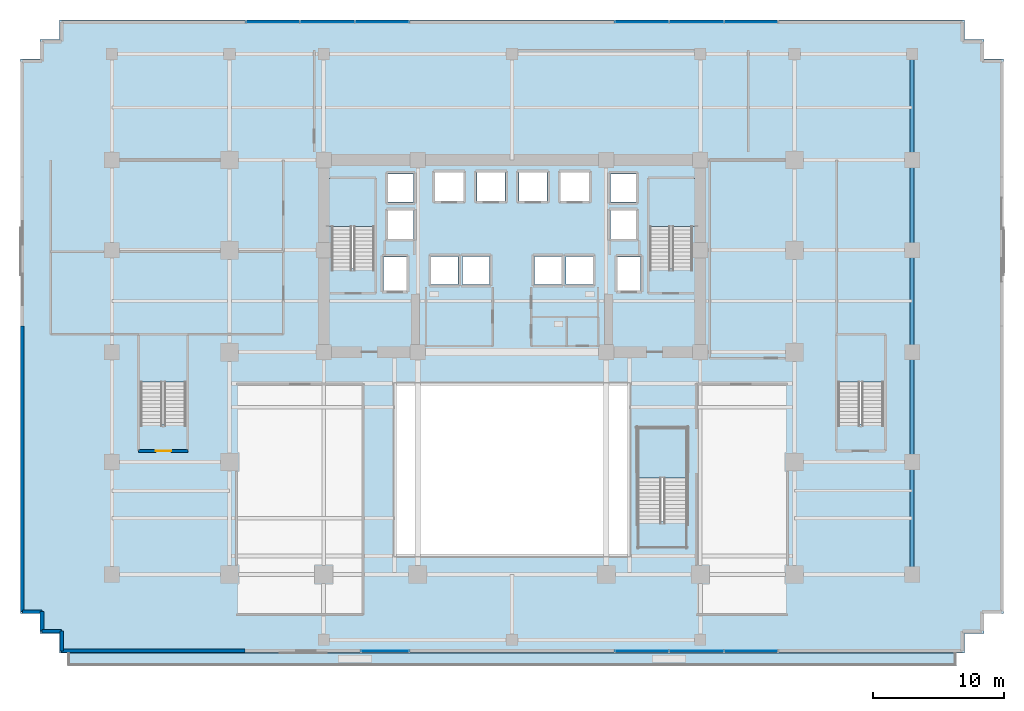
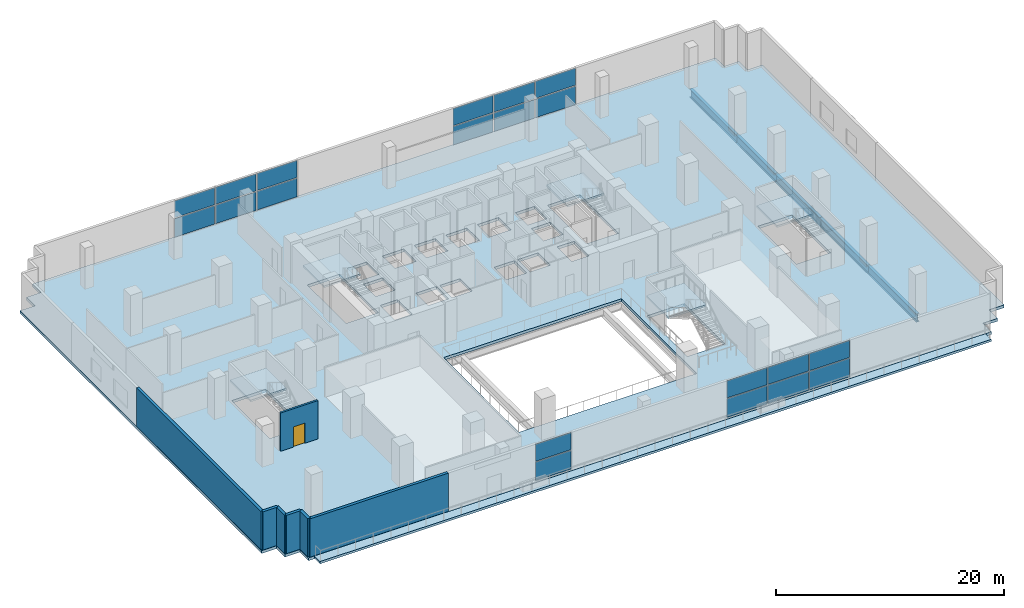
# One storey, part 11 of 22: 20 plates, 7 slabs, 7 walls, 5 beams, 1 door, 1 opening, 9 elements without a shape of their own.
"""IFC4 building model written with IfcOpenShell, lengths in metres."""

from ifc_helpers import new_model, si_unit, direction, frame, frame_2d, origin, origin_2d, place, context, subcontext, project, spatial, polyline, rectangle, i_section, outline, extrude, source, transform, mapped, material, layer, layer_set, material_profile, profile_set, type_object, element, fill, aggregate, save


model = new_model("IFC4")

# Units and contexts
model_context = context("Model", 3, precision=1e-05, world=origin(), true_north=direction((0.0, 1.0)))
body_context = subcontext(model_context, "Body", "Model", "MODEL_VIEW")
ifc_project = project(units=[si_unit("LENGTHUNIT", "METRE"), si_unit("AREAUNIT", "SQUARE_METRE"), si_unit("VOLUMEUNIT", "CUBIC_METRE"), si_unit("PLANEANGLEUNIT", "RADIAN"), si_unit("MASSUNIT", "GRAM", prefix="KILO")], contexts=[model_context])

# Site, building, storey
site_placement = place(None, origin())
site = spatial("IfcSite", under=ifc_project, at=site_placement, CompositionType="ELEMENT")
building_placement = place(site_placement, origin())
building = spatial("IfcBuilding", under=site, at=building_placement, Name="Zarnakvel Exchange Tower", CompositionType="ELEMENT")
storey_placement = place(building_placement, frame((0.0, 0.0, 9.39990234375)))
storey = spatial("IfcBuildingStorey", under=building, at=storey_placement, Name="L02", CompositionType="ELEMENT", Elevation=9.39990234375)

# Beams
ifc_material_1 = material(Name="Steel S355", Category="steel")
ifc_material_profile = material_profile(ifc_material_1, i_section(OverallWidth=0.300048828125, OverallDepth=0.89990234375, WebThickness=0.0185546875, FlangeThickness=0.034912109375, FilletRadius=0.030029296875, at=origin_2d()))
ifc_profile_set = profile_set([ifc_material_profile], Name="Steel S355")
beam_type = type_object("IfcBeamType", Name="G-01", PredefinedType="BEAM", material=ifc_profile_set)
beam_1_placement = place(storey_placement, frame((30.60009765625, -18.199951171875, -0.75), z_axis=(0.0, 1.0, 0.0), x_axis=(-1.0, 0.0, 0.0)))
element("IfcBeam", 1, at=beam_1_placement, inside=storey, type_object=beam_type, Name="L02 Primary N-S Girder X=+30.6", PredefinedType="BEAM", context=body_context, shape_type="SweptSolid", body=[
    extrude(i_section(OverallWidth=0.300048828125, OverallDepth=0.89990234375, WebThickness=0.0185546875, FlangeThickness=0.034912109375, FilletRadius=0.030029296875, at=origin_2d()), origin(), (0.0, 0.0, 1.0), 8.599853515625),
])
beam_2_placement = place(storey_placement, frame((30.60009765625, -9.60009765625, -0.75), z_axis=(0.0, 1.0, 0.0), x_axis=(-1.0, 0.0, 0.0)))
element("IfcBeam", 2, at=beam_2_placement, inside=storey, type_object=beam_type, Name="L02 Primary N-S Girder X=+30.6", PredefinedType="BEAM", context=body_context, shape_type="SweptSolid", body=[
    extrude(i_section(OverallWidth=0.300048828125, OverallDepth=0.89990234375, WebThickness=0.0185546875, FlangeThickness=0.034912109375, FilletRadius=0.030029296875, at=origin_2d()), origin(), (0.0, 0.0, 1.0), 8.400146484375),
])
beam_3_placement = place(storey_placement, frame((30.60009765625, -1.199951171875, -0.75), z_axis=(0.0, 1.0, 0.0), x_axis=(-1.0, 0.0, 0.0)))
element("IfcBeam", 3, at=beam_3_placement, inside=storey, type_object=beam_type, Name="L02 Primary N-S Girder X=+30.6", PredefinedType="BEAM", context=body_context, shape_type="SweptSolid", body=[
    extrude(i_section(OverallWidth=0.300048828125, OverallDepth=0.89990234375, WebThickness=0.0185546875, FlangeThickness=0.034912109375, FilletRadius=0.030029296875, at=origin_2d()), origin(), (0.0, 0.0, 1.0), 7.800048828125),
])
beam_4_placement = place(storey_placement, frame((30.60009765625, 6.60009765625, -0.75), z_axis=(0.0, 1.0, 0.0), x_axis=(-1.0, 0.0, 0.0)))
element("IfcBeam", 4, at=beam_4_placement, inside=storey, type_object=beam_type, Name="L02 Primary N-S Girder X=+30.6", PredefinedType="BEAM", context=body_context, shape_type="SweptSolid", body=[
    extrude(i_section(OverallWidth=0.300048828125, OverallDepth=0.89990234375, WebThickness=0.0185546875, FlangeThickness=0.034912109375, FilletRadius=0.030029296875, at=origin_2d()), origin(), (0.0, 0.0, 1.0), 6.89990234375),
])
beam_5_placement = place(storey_placement, frame((30.60009765625, 13.5, -0.75), z_axis=(0.0, 1.0, 0.0), x_axis=(-1.0, 0.0, 0.0)))
element("IfcBeam", 5, at=beam_5_placement, inside=storey, type_object=beam_type, Name="L02 Primary N-S Girder X=+30.6", PredefinedType="BEAM", context=body_context, shape_type="SweptSolid", body=[
    extrude(i_section(OverallWidth=0.300048828125, OverallDepth=0.89990234375, WebThickness=0.0185546875, FlangeThickness=0.034912109375, FilletRadius=0.030029296875, at=origin_2d()), origin(), (0.0, 0.0, 1.0), 8.10009765625),
])

# Stair, slab
ifc_material_2 = material(Name="Concrete C40/50", Category="concrete")
stair_type_1 = type_object("IfcStairType", Name="STR-01", PredefinedType="HALF_TURN_STAIR", material=ifc_material_2)
stair_1_placement = place(storey_placement, origin())
stair_1 = element("IfcStair", 6, at=stair_1_placement, inside=storey, type_object=stair_type_1, Name="L02 Protected Core Exit Stair ST-01", PredefinedType="HALF_TURN_STAIR")
ifc_layer_1 = layer(ifc_material_2, 0.199951171875)
ifc_layer_set_1 = layer_set([ifc_layer_1], Name="Concrete C40/50")
slab_type_1 = type_object("IfcSlabType", Name="LDG-01", PredefinedType="LANDING", material=ifc_layer_set_1)
slab_1_placement = place(storey_placement, frame((0.0, 0.0, 2.0)))
slab_1 = element("IfcSlab", 7, at=slab_1_placement, type_object=slab_type_1, Name="ST-01 landing 1", PredefinedType="LANDING", context=body_context, shape_type="SweptSolid", body=[
    extrude(outline(polyline([(-14.18994140625, 8.409912109375), (-10.4599609375, 8.409912109375), (-10.4599609375, 12.080078125), (-14.18994140625, 12.080078125), (-14.18994140625, 8.409912109375)])), origin(), (0.0, 0.0, 1.0), 0.2001953125),
])
aggregate(stair_1, [slab_1])

stair_2_placement = place(storey_placement, origin())
stair_2 = element("IfcStair", 8, at=stair_2_placement, inside=storey, type_object=stair_type_1, Name="L02 Protected Core Exit Stair ST-02", PredefinedType="HALF_TURN_STAIR")
slab_2_placement = place(storey_placement, frame((0.0, 0.0, 2.0)))
slab_2 = element("IfcSlab", 9, at=slab_2_placement, type_object=slab_type_1, Name="ST-02 landing 1", PredefinedType="LANDING", context=body_context, shape_type="SweptSolid", body=[
    extrude(outline(polyline([(10.4599609375, 8.409912109375), (14.18994140625, 8.409912109375), (14.18994140625, 12.080078125), (10.4599609375, 12.080078125), (10.4599609375, 8.409912109375)])), origin(), (0.0, 0.0, 1.0), 0.2001953125),
])
aggregate(stair_2, [slab_2])

stair_type_2 = type_object("IfcStairType", Name="STR-02", PredefinedType="HALF_TURN_STAIR", material=ifc_material_2)
stair_3_placement = place(storey_placement, origin())
stair_3 = element("IfcStair", 10, at=stair_3_placement, inside=storey, type_object=stair_type_2, Name="L02 Podium West Exit Stair ST-03", PredefinedType="HALF_TURN_STAIR")
slab_3_placement = place(storey_placement, frame((0.0, 0.0, 2.0)))
slab_3 = element("IfcSlab", 11, at=slab_3_placement, type_object=slab_type_1, Name="ST-03 landing 1", PredefinedType="LANDING", context=body_context, shape_type="SweptSolid", body=[
    extrude(outline(polyline([(-28.5, -3.489990234375), (-24.840087890625, -3.489990234375), (-24.840087890625, 0.10009765625), (-28.5, 0.10009765625), (-28.5, -3.489990234375)])), origin(), (0.0, 0.0, 1.0), 0.2001953125),
])
aggregate(stair_3, [slab_3])

stair_4_placement = place(storey_placement, origin())
stair_4 = element("IfcStair", 12, at=stair_4_placement, inside=storey, type_object=stair_type_2, Name="L02 Podium East Exit Stair ST-04", PredefinedType="HALF_TURN_STAIR")
slab_4_placement = place(storey_placement, frame((0.0, 0.0, 2.0)))
slab_4 = element("IfcSlab", 13, at=slab_4_placement, type_object=slab_type_1, Name="ST-04 landing 1", PredefinedType="LANDING", context=body_context, shape_type="SweptSolid", body=[
    extrude(outline(polyline([(24.840087890625, -3.489990234375), (28.5, -3.489990234375), (28.5, 0.10009765625), (24.840087890625, 0.10009765625), (24.840087890625, -3.489990234375)])), origin(), (0.0, 0.0, 1.0), 0.2001953125),
])
aggregate(stair_4, [slab_4])

stair_type_3 = type_object("IfcStairType", Name="STR-04", PredefinedType="HALF_TURN_STAIR", material=ifc_material_2)
stair_5_placement = place(storey_placement, origin())
stair_5 = element("IfcStair", 14, at=stair_5_placement, inside=storey, type_object=stair_type_3, Name="L02 Exchange Concourse Atrium Feature Stair ST-06", PredefinedType="HALF_TURN_STAIR")
slab_5_placement = place(storey_placement, frame((0.0, 0.0, 2.0)))
slab_5 = element("IfcSlab", 15, at=slab_5_placement, type_object=slab_type_1, Name="ST-06 landing 1", PredefinedType="LANDING", context=body_context, shape_type="SweptSolid", body=[
    extrude(outline(polyline([(9.580078125, -10.820068359375), (13.419921875, -10.820068359375), (13.419921875, -6.97998046875), (9.580078125, -6.97998046875), (9.580078125, -10.820068359375)])), origin(), (0.0, 0.0, 1.0), 0.2001953125),
])
aggregate(stair_5, [slab_5])

# Slabs
ifc_layer_2 = layer(ifc_material_2, 0.300048828125)
ifc_layer_set_2 = layer_set([ifc_layer_2], Name="Concrete C40/50")
slab_type_2 = type_object("IfcSlabType", Name="SL-01", PredefinedType="FLOOR", material=ifc_layer_set_2)
slab_6_placement = place(storey_placement, frame((0.0, 0.0, -0.2998046875)))
element("IfcSlab", 16, at=slab_6_placement, inside=storey, type_object=slab_type_2, Name="L02 Primary Structural Floor Slab", PredefinedType="FLOOR", context=body_context, shape_type="SweptSolid", body=[
    extrude(outline(polyline([(-37.60009765625, -21.199951171875), (-36.10009765625, -21.199951171875), (-36.10009765625, -22.699951171875), (-34.60009765625, -22.699951171875), (-34.60009765625, -24.199951171875), (34.60009765625, -24.199951171875), (34.60009765625, -22.699951171875), (36.10009765625, -22.699951171875), (36.10009765625, -21.199951171875), (37.60009765625, -21.199951171875), (37.60009765625, 21.199951171875), (36.10009765625, 21.199951171875), (36.10009765625, 22.699951171875), (34.60009765625, 22.699951171875), (34.60009765625, 24.199951171875), (-34.60009765625, 24.199951171875), (-34.60009765625, 22.699951171875), (-36.10009765625, 22.699951171875), (-36.10009765625, 21.199951171875), (-37.60009765625, 21.199951171875), (-37.60009765625, -21.199951171875)]), holes=[polyline([(-9.0, -16.800048828125), (9.0, -16.800048828125), (9.0, -3.60009765625), (-9.0, -3.60009765625), (-9.0, -16.800048828125)]), polyline([(-13.800048828125, 5.2099609375), (-10.5400390625, 5.2099609375), (-10.5400390625, 12.0), (-13.800048828125, 12.0), (-13.800048828125, 5.2099609375)]), polyline([(10.5400390625, 5.2099609375), (13.800048828125, 5.2099609375), (13.800048828125, 12.0), (10.5400390625, 12.0), (10.5400390625, 5.2099609375)]), polyline([(-28.39990234375, -6.68994140625), (-24.93994140625, -6.68994140625), (-24.93994140625, 0.0), (-28.39990234375, 0.0), (-28.39990234375, -6.68994140625)]), polyline([(24.93994140625, -6.68994140625), (28.39990234375, -6.68994140625), (28.39990234375, 0.0), (24.93994140625, 0.0), (24.93994140625, -6.68994140625)]), polyline([(9.60009765625, -14.139892578125), (13.39990234375, -14.139892578125), (13.39990234375, -7.0), (9.60009765625, -7.0), (9.60009765625, -14.139892578125)]), polyline([(-9.830078125, 3.52001953125), (-8.070068359375, 3.52001953125), (-8.070068359375, 6.080078125), (-9.830078125, 6.080078125), (-9.830078125, 3.52001953125)]), polyline([(8.070068359375, 3.52001953125), (9.830078125, 3.52001953125), (9.830078125, 6.080078125), (8.070068359375, 6.080078125), (8.070068359375, 3.52001953125)]), polyline([(-5.8798828125, 10.3701171875), (-3.719970703125, 10.3701171875), (-3.719970703125, 12.530029296875), (-5.8798828125, 12.530029296875), (-5.8798828125, 10.3701171875)]), polyline([(-2.679931640625, 10.3701171875), (-0.52001953125, 10.3701171875), (-0.52001953125, 12.530029296875), (-2.679931640625, 12.530029296875), (-2.679931640625, 10.3701171875)]), polyline([(0.52001953125, 10.3701171875), (2.679931640625, 10.3701171875), (2.679931640625, 12.530029296875), (0.52001953125, 12.530029296875), (0.52001953125, 10.3701171875)]), polyline([(3.719970703125, 10.3701171875), (5.8798828125, 10.3701171875), (5.8798828125, 12.530029296875), (3.719970703125, 12.530029296875), (3.719970703125, 10.3701171875)]), polyline([(-6.179931640625, 3.969970703125), (-4.1201171875, 3.969970703125), (-4.1201171875, 6.1298828125), (-6.179931640625, 6.1298828125), (-6.179931640625, 3.969970703125)]), polyline([(-3.780029296875, 3.969970703125), (-1.719970703125, 3.969970703125), (-1.719970703125, 6.1298828125), (-3.780029296875, 6.1298828125), (-3.780029296875, 3.969970703125)]), polyline([(1.719970703125, 3.969970703125), (3.780029296875, 3.969970703125), (3.780029296875, 6.1298828125), (1.719970703125, 6.1298828125), (1.719970703125, 3.969970703125)]), polyline([(4.1201171875, 3.969970703125), (6.179931640625, 3.969970703125), (6.179931640625, 6.1298828125), (4.1201171875, 6.1298828125), (4.1201171875, 3.969970703125)]), polyline([(-9.47998046875, 7.469970703125), (-7.52001953125, 7.469970703125), (-7.52001953125, 9.6298828125), (-9.47998046875, 9.6298828125), (-9.47998046875, 7.469970703125)]), polyline([(-9.47998046875, 10.27001953125), (-7.52001953125, 10.27001953125), (-7.52001953125, 12.429931640625), (-9.47998046875, 12.429931640625), (-9.47998046875, 10.27001953125)]), polyline([(7.52001953125, 7.469970703125), (9.47998046875, 7.469970703125), (9.47998046875, 9.6298828125), (7.52001953125, 9.6298828125), (7.52001953125, 7.469970703125)]), polyline([(7.52001953125, 10.27001953125), (9.47998046875, 10.27001953125), (9.47998046875, 12.429931640625), (7.52001953125, 12.429931640625), (7.52001953125, 10.27001953125)])]), origin(), (0.0, 0.0, 1.0), 0.2998046875),
])
ifc_layer_3 = layer(ifc_material_2, 0.239990234375)
ifc_layer_set_3 = layer_set([ifc_layer_3], Name="Concrete C40/50")
slab_type_3 = type_object("IfcSlabType", Name="SL-06", PredefinedType="ROOF", material=ifc_layer_set_3)
slab_7_placement = place(storey_placement, frame((0.0, 0.0, -0.239990234375)))
element("IfcSlab", 17, at=slab_7_placement, inside=storey, type_object=slab_type_3, Name="L02 Cascading Podium Outdoor Terrace Slab", PredefinedType="ROOF", context=body_context, shape_type="SweptSolid", body=[
    extrude(outline(polyline([(-34.0, -25.199951171875), (34.0, -25.199951171875), (34.0, -24.199951171875), (-34.0, -24.199951171875), (-34.0, -25.199951171875)])), origin(), (0.0, 0.0, 1.0), 0.239990234375),
])

# Curtain wall, plates
ifc_material_3 = material(Name="Architectural Bronze Anodised Aluminium", Category="aluminium")
ifc_layer_4 = layer(ifc_material_3, 0.260009765625)
ifc_layer_set_4 = layer_set([ifc_layer_4], Name="Architectural Bronze Anodised Aluminium")
curtain_wall_type = type_object("IfcCurtainWallType", Name="CW-01", PredefinedType="NOTDEFINED", material=ifc_layer_set_4)
curtain_wall_1_placement = place(storey_placement, origin())
curtain_wall_1 = element("IfcCurtainWall", 18, at=curtain_wall_1_placement, inside=storey, type_object=curtain_wall_type, Name="L02 Curtain Wall CW-L02-S1 (CW-01)", PredefinedType="NOTDEFINED")
ifc_material_4 = material(Name="Double Low-E Laminated Vision Glass", Category="glass")
ifc_layer_5 = layer(ifc_material_4, 0.035888671875)
ifc_layer_set_5 = layer_set([ifc_layer_5], Name="Double Low-E Laminated Vision Glass")
plate_type = type_object("IfcPlateType", Name="CWP-01", PredefinedType="CURTAIN_PANEL", material=ifc_layer_set_5)
shared_shape_1 = source(origin(), body_context, "Body", "SweptSolid", [
    extrude(rectangle(XDim=3.60009765625, YDim=0.035888671875, at=origin_2d()), origin(), (0.0, 0.0, 1.0), 1.986572265625),
])
plate_1_placement = place(storey_placement, frame((-9.699951171875, -24.0400390625, 0.09033203125), z_axis=(0.0, 0.0, 1.0), x_axis=(1.0, 0.0, 0.0)))
plate_1 = element("IfcPlate", 19, at=plate_1_placement, type_object=plate_type, Name="CW-01 panel 1.1", PredefinedType="CURTAIN_PANEL", context=body_context, shape_type="MappedRepresentation", body=[
    mapped(shared_shape_1, transform((0.0, 0.0, 0.0), x_axis=(1.0, 0.0, 0.0), y_axis=(0.0, 1.0, 0.0), z_axis=(0.0, 0.0, 1.0), scale=1.0)),
])
shared_shape_2 = source(origin(), body_context, "Body", "SweptSolid", [
    extrude(rectangle(XDim=3.60009765625, YDim=0.035888671875, at=origin_2d()), origin(), (0.0, 0.0, 1.0), 1.823486328125),
])
plate_2_placement = place(storey_placement, frame((-9.699951171875, -24.0400390625, 2.16650390625), z_axis=(0.0, 0.0, 1.0), x_axis=(1.0, 0.0, 0.0)))
plate_2 = element("IfcPlate", 20, at=plate_2_placement, type_object=plate_type, Name="CW-01 panel 1.2", PredefinedType="CURTAIN_PANEL", context=body_context, shape_type="MappedRepresentation", body=[
    mapped(shared_shape_2, transform((0.0, 0.0, 0.0), x_axis=(1.0, 0.0, 0.0), y_axis=(0.0, 1.0, 0.0), z_axis=(0.0, 0.0, 1.0), scale=1.0)),
])
aggregate(curtain_wall_1, [plate_1, plate_2])

curtain_wall_2_placement = place(storey_placement, origin())
curtain_wall_2 = element("IfcCurtainWall", 21, at=curtain_wall_2_placement, inside=storey, type_object=curtain_wall_type, Name="L02 Curtain Wall CW-L02-S2 (CW-01)", PredefinedType="NOTDEFINED")
shared_shape_3 = source(origin(), body_context, "Body", "SweptSolid", [
    extrude(rectangle(XDim=4.050048828125, YDim=0.035888671875, at=origin_2d()), origin(), (0.0, 0.0, 1.0), 1.986572265625),
])
plate_3_placement = place(storey_placement, frame((9.925048828125, -24.0400390625, 0.09033203125), z_axis=(0.0, 0.0, 1.0), x_axis=(1.0, 0.0, 0.0)))
plate_3 = element("IfcPlate", 22, at=plate_3_placement, type_object=plate_type, Name="CW-01 panel 1.1", PredefinedType="CURTAIN_PANEL", context=body_context, shape_type="MappedRepresentation", body=[
    mapped(shared_shape_3, transform((0.0, 0.0, 0.0), x_axis=(1.0, 0.0, 0.0), y_axis=(0.0, 1.0, 0.0), z_axis=(0.0, 0.0, 1.0), scale=1.0)),
])
plate_4_placement = place(storey_placement, frame((18.27490234375, -24.0400390625, 0.09033203125), z_axis=(0.0, 0.0, 1.0), x_axis=(1.0, 0.0, 0.0)))
plate_4 = element("IfcPlate", 23, at=plate_4_placement, type_object=plate_type, Name="CW-01 panel 3.1", PredefinedType="CURTAIN_PANEL", context=body_context, shape_type="MappedRepresentation", body=[
    mapped(shared_shape_3, transform((0.0, 0.0, 0.0), x_axis=(1.0, 0.0, 0.0), y_axis=(0.0, 1.0, 0.0), z_axis=(0.0, 0.0, 1.0), scale=1.0)),
])

curtain_wall_3_placement = place(storey_placement, origin())
curtain_wall_3 = element("IfcCurtainWall", 24, at=curtain_wall_3_placement, inside=storey, type_object=curtain_wall_type, Name="L02 Curtain Wall CW-L02-N1 (CW-01)", PredefinedType="NOTDEFINED")
plate_5_placement = place(storey_placement, frame((-18.27490234375, 24.0400390625, 0.09033203125), z_axis=(0.0, 0.0, 1.0), x_axis=(1.0, 0.0, 0.0)))
plate_5 = element("IfcPlate", 25, at=plate_5_placement, type_object=plate_type, Name="CW-01 panel 1.1", PredefinedType="CURTAIN_PANEL", context=body_context, shape_type="MappedRepresentation", body=[
    mapped(shared_shape_3, transform((0.0, 0.0, 0.0), x_axis=(1.0, 0.0, 0.0), y_axis=(0.0, 1.0, 0.0), z_axis=(0.0, 0.0, 1.0), scale=1.0)),
])
plate_6_placement = place(storey_placement, frame((-9.925048828125, 24.0400390625, 0.09033203125), z_axis=(0.0, 0.0, 1.0), x_axis=(1.0, 0.0, 0.0)))
plate_6 = element("IfcPlate", 26, at=plate_6_placement, type_object=plate_type, Name="CW-01 panel 3.1", PredefinedType="CURTAIN_PANEL", context=body_context, shape_type="MappedRepresentation", body=[
    mapped(shared_shape_3, transform((0.0, 0.0, 0.0), x_axis=(1.0, 0.0, 0.0), y_axis=(0.0, 1.0, 0.0), z_axis=(0.0, 0.0, 1.0), scale=1.0)),
])

curtain_wall_4_placement = place(storey_placement, origin())
curtain_wall_4 = element("IfcCurtainWall", 27, at=curtain_wall_4_placement, inside=storey, type_object=curtain_wall_type, Name="L02 Curtain Wall CW-L02-N2 (CW-01)", PredefinedType="NOTDEFINED")
plate_7_placement = place(storey_placement, frame((9.925048828125, 24.0400390625, 0.09033203125), z_axis=(0.0, 0.0, 1.0), x_axis=(1.0, 0.0, 0.0)))
plate_7 = element("IfcPlate", 28, at=plate_7_placement, type_object=plate_type, Name="CW-01 panel 1.1", PredefinedType="CURTAIN_PANEL", context=body_context, shape_type="MappedRepresentation", body=[
    mapped(shared_shape_3, transform((0.0, 0.0, 0.0), x_axis=(1.0, 0.0, 0.0), y_axis=(0.0, 1.0, 0.0), z_axis=(0.0, 0.0, 1.0), scale=1.0)),
])
plate_8_placement = place(storey_placement, frame((18.27490234375, 24.0400390625, 0.09033203125), z_axis=(0.0, 0.0, 1.0), x_axis=(1.0, 0.0, 0.0)))
plate_8 = element("IfcPlate", 29, at=plate_8_placement, type_object=plate_type, Name="CW-01 panel 3.1", PredefinedType="CURTAIN_PANEL", context=body_context, shape_type="MappedRepresentation", body=[
    mapped(shared_shape_3, transform((0.0, 0.0, 0.0), x_axis=(1.0, 0.0, 0.0), y_axis=(0.0, 1.0, 0.0), z_axis=(0.0, 0.0, 1.0), scale=1.0)),
])

# Plate
shared_shape_4 = source(origin(), body_context, "Body", "SweptSolid", [
    extrude(rectangle(XDim=4.050048828125, YDim=0.035888671875, at=origin_2d()), origin(), (0.0, 0.0, 1.0), 1.823486328125),
])
plate_9_placement = place(storey_placement, frame((9.925048828125, -24.0400390625, 2.16650390625), z_axis=(0.0, 0.0, 1.0), x_axis=(1.0, 0.0, 0.0)))
plate_9 = element("IfcPlate", 30, at=plate_9_placement, type_object=plate_type, Name="CW-01 panel 1.2", PredefinedType="CURTAIN_PANEL", context=body_context, shape_type="MappedRepresentation", body=[
    mapped(shared_shape_4, transform((0.0, 0.0, 0.0), x_axis=(1.0, 0.0, 0.0), y_axis=(0.0, 1.0, 0.0), z_axis=(0.0, 0.0, 1.0), scale=1.0)),
])

plate_10_placement = place(storey_placement, frame((18.27490234375, -24.0400390625, 2.16650390625), z_axis=(0.0, 0.0, 1.0), x_axis=(1.0, 0.0, 0.0)))
plate_10 = element("IfcPlate", 31, at=plate_10_placement, type_object=plate_type, Name="CW-01 panel 3.2", PredefinedType="CURTAIN_PANEL", context=body_context, shape_type="MappedRepresentation", body=[
    mapped(shared_shape_4, transform((0.0, 0.0, 0.0), x_axis=(1.0, 0.0, 0.0), y_axis=(0.0, 1.0, 0.0), z_axis=(0.0, 0.0, 1.0), scale=1.0)),
])

plate_11_placement = place(storey_placement, frame((-18.27490234375, 24.0400390625, 2.16650390625), z_axis=(0.0, 0.0, 1.0), x_axis=(1.0, 0.0, 0.0)))
plate_11 = element("IfcPlate", 32, at=plate_11_placement, type_object=plate_type, Name="CW-01 panel 1.2", PredefinedType="CURTAIN_PANEL", context=body_context, shape_type="MappedRepresentation", body=[
    mapped(shared_shape_4, transform((0.0, 0.0, 0.0), x_axis=(1.0, 0.0, 0.0), y_axis=(0.0, 1.0, 0.0), z_axis=(0.0, 0.0, 1.0), scale=1.0)),
])

plate_12_placement = place(storey_placement, frame((-9.925048828125, 24.0400390625, 2.16650390625), z_axis=(0.0, 0.0, 1.0), x_axis=(1.0, 0.0, 0.0)))
plate_12 = element("IfcPlate", 33, at=plate_12_placement, type_object=plate_type, Name="CW-01 panel 3.2", PredefinedType="CURTAIN_PANEL", context=body_context, shape_type="MappedRepresentation", body=[
    mapped(shared_shape_4, transform((0.0, 0.0, 0.0), x_axis=(1.0, 0.0, 0.0), y_axis=(0.0, 1.0, 0.0), z_axis=(0.0, 0.0, 1.0), scale=1.0)),
])

plate_13_placement = place(storey_placement, frame((9.925048828125, 24.0400390625, 2.16650390625), z_axis=(0.0, 0.0, 1.0), x_axis=(1.0, 0.0, 0.0)))
plate_13 = element("IfcPlate", 34, at=plate_13_placement, type_object=plate_type, Name="CW-01 panel 1.2", PredefinedType="CURTAIN_PANEL", context=body_context, shape_type="MappedRepresentation", body=[
    mapped(shared_shape_4, transform((0.0, 0.0, 0.0), x_axis=(1.0, 0.0, 0.0), y_axis=(0.0, 1.0, 0.0), z_axis=(0.0, 0.0, 1.0), scale=1.0)),
])

plate_14_placement = place(storey_placement, frame((18.27490234375, 24.0400390625, 2.16650390625), z_axis=(0.0, 0.0, 1.0), x_axis=(1.0, 0.0, 0.0)))
plate_14 = element("IfcPlate", 35, at=plate_14_placement, type_object=plate_type, Name="CW-01 panel 3.2", PredefinedType="CURTAIN_PANEL", context=body_context, shape_type="MappedRepresentation", body=[
    mapped(shared_shape_4, transform((0.0, 0.0, 0.0), x_axis=(1.0, 0.0, 0.0), y_axis=(0.0, 1.0, 0.0), z_axis=(0.0, 0.0, 1.0), scale=1.0)),
])

shared_shape_5 = source(origin(), body_context, "Body", "SweptSolid", [
    extrude(rectangle(XDim=4.10009765625, YDim=0.035888671875, at=origin_2d()), origin(), (0.0, 0.0, 1.0), 1.986572265625),
])
plate_15_placement = place(storey_placement, frame((14.10009765625, -24.0400390625, 0.09033203125), z_axis=(0.0, 0.0, 1.0), x_axis=(1.0, 0.0, 0.0)))
plate_15 = element("IfcPlate", 36, at=plate_15_placement, type_object=plate_type, Name="CW-01 panel 2.1", PredefinedType="CURTAIN_PANEL", context=body_context, shape_type="MappedRepresentation", body=[
    mapped(shared_shape_5, transform((0.0, 0.0, 0.0), x_axis=(1.0, 0.0, 0.0), y_axis=(0.0, 1.0, 0.0), z_axis=(0.0, 0.0, 1.0), scale=1.0)),
])

plate_16_placement = place(storey_placement, frame((-14.10009765625, 24.0400390625, 0.09033203125), z_axis=(0.0, 0.0, 1.0), x_axis=(1.0, 0.0, 0.0)))
plate_16 = element("IfcPlate", 37, at=plate_16_placement, type_object=plate_type, Name="CW-01 panel 2.1", PredefinedType="CURTAIN_PANEL", context=body_context, shape_type="MappedRepresentation", body=[
    mapped(shared_shape_5, transform((0.0, 0.0, 0.0), x_axis=(1.0, 0.0, 0.0), y_axis=(0.0, 1.0, 0.0), z_axis=(0.0, 0.0, 1.0), scale=1.0)),
])

plate_17_placement = place(storey_placement, frame((14.10009765625, 24.0400390625, 0.09033203125), z_axis=(0.0, 0.0, 1.0), x_axis=(1.0, 0.0, 0.0)))
plate_17 = element("IfcPlate", 38, at=plate_17_placement, type_object=plate_type, Name="CW-01 panel 2.1", PredefinedType="CURTAIN_PANEL", context=body_context, shape_type="MappedRepresentation", body=[
    mapped(shared_shape_5, transform((0.0, 0.0, 0.0), x_axis=(1.0, 0.0, 0.0), y_axis=(0.0, 1.0, 0.0), z_axis=(0.0, 0.0, 1.0), scale=1.0)),
])

shared_shape_6 = source(origin(), body_context, "Body", "SweptSolid", [
    extrude(rectangle(XDim=4.10009765625, YDim=0.035888671875, at=origin_2d()), origin(), (0.0, 0.0, 1.0), 1.823486328125),
])
plate_18_placement = place(storey_placement, frame((14.10009765625, -24.0400390625, 2.16650390625), z_axis=(0.0, 0.0, 1.0), x_axis=(1.0, 0.0, 0.0)))
plate_18 = element("IfcPlate", 39, at=plate_18_placement, type_object=plate_type, Name="CW-01 panel 2.2", PredefinedType="CURTAIN_PANEL", context=body_context, shape_type="MappedRepresentation", body=[
    mapped(shared_shape_6, transform((0.0, 0.0, 0.0), x_axis=(1.0, 0.0, 0.0), y_axis=(0.0, 1.0, 0.0), z_axis=(0.0, 0.0, 1.0), scale=1.0)),
])

aggregate(curtain_wall_2, [plate_3, plate_9, plate_15, plate_18, plate_4, plate_10])

plate_19_placement = place(storey_placement, frame((-14.10009765625, 24.0400390625, 2.16650390625), z_axis=(0.0, 0.0, 1.0), x_axis=(1.0, 0.0, 0.0)))
plate_19 = element("IfcPlate", 40, at=plate_19_placement, type_object=plate_type, Name="CW-01 panel 2.2", PredefinedType="CURTAIN_PANEL", context=body_context, shape_type="MappedRepresentation", body=[
    mapped(shared_shape_6, transform((0.0, 0.0, 0.0), x_axis=(1.0, 0.0, 0.0), y_axis=(0.0, 1.0, 0.0), z_axis=(0.0, 0.0, 1.0), scale=1.0)),
])

aggregate(curtain_wall_3, [plate_5, plate_11, plate_16, plate_19, plate_6, plate_12])

plate_20_placement = place(storey_placement, frame((14.10009765625, 24.0400390625, 2.16650390625), z_axis=(0.0, 0.0, 1.0), x_axis=(1.0, 0.0, 0.0)))
plate_20 = element("IfcPlate", 41, at=plate_20_placement, type_object=plate_type, Name="CW-01 panel 2.2", PredefinedType="CURTAIN_PANEL", context=body_context, shape_type="MappedRepresentation", body=[
    mapped(shared_shape_6, transform((0.0, 0.0, 0.0), x_axis=(1.0, 0.0, 0.0), y_axis=(0.0, 1.0, 0.0), z_axis=(0.0, 0.0, 1.0), scale=1.0)),
])

aggregate(curtain_wall_4, [plate_7, plate_13, plate_17, plate_20, plate_8, plate_14])

# Walls
ifc_material_5 = material(Name="Precast concrete C40/50", Category="concrete")
ifc_layer_6 = layer(ifc_material_5, 0.280029296875)
ifc_layer_set_6 = layer_set([ifc_layer_6], Name="Precast concrete C40/50")
wall_type_1 = type_object("IfcWallType", Name="EW-01", PredefinedType="SOLIDWALL", material=ifc_layer_set_6)
wall_1_placement = place(storey_placement, frame((-37.43994140625, 0.800048828125, 0.0), z_axis=(0.0, 0.0, 1.0), x_axis=(0.0, -1.0, 0.0)))
element("IfcWall", 42, at=wall_1_placement, inside=storey, type_object=wall_type_1, Name="L02 Exterior Precast Spandrel Wall EWC-L02-01 (EW-01)", PredefinedType="SOLIDWALL", context=body_context, shape_type="SweptSolid", body=[
    extrude(rectangle(XDim=21.840087890625, YDim=0.280029296875, at=frame_2d((10.919921875, 0.0))), origin(), (0.0, 0.0, 1.0), 4.10009765625),
])
wall_2_placement = place(storey_placement, frame((-34.43994140625, -24.0400390625, 0.0), z_axis=(0.0, 0.0, 1.0), x_axis=(1.0, 0.0, 0.0)))
element("IfcWall", 43, at=wall_2_placement, inside=storey, type_object=wall_type_1, Name="L02 Exterior Precast Spandrel Wall EWC-L02-22 (EW-01)", PredefinedType="SOLIDWALL", context=body_context, shape_type="SweptSolid", body=[
    extrude(rectangle(XDim=14.0400390625, YDim=0.280029296875, at=frame_2d((7.02001953125, 0.0))), origin(), (0.0, 0.0, 1.0), 4.10009765625),
])
for number, where, z_axis, x_axis, name in (
    (44, (-34.43994140625, -22.5400390625, 0.0), (0.0, 0.0, 1.0), (0.0, -1.0, 0.0), "L02 Exterior Precast Spandrel Wall EWC-L02-23 (EW-01)"),
    (45, (-35.93994140625, -22.5400390625, 0.0), (0.0, 0.0, 1.0), (1.0, 0.0, 0.0), "L02 Exterior Precast Spandrel Wall EWC-L02-24 (EW-01)"),
    (46, (-35.93994140625, -21.0400390625, 0.0), (0.0, 0.0, 1.0), (0.0, -1.0, 0.0), "L02 Exterior Precast Spandrel Wall EWC-L02-25 (EW-01)"),
    (47, (-37.43994140625, -21.0400390625, 0.0), (0.0, 0.0, 1.0), (1.0, 0.0, 0.0), "L02 Exterior Precast Spandrel Wall EWC-L02-26 (EW-01)"),
):
    element("IfcWall", number, at=place(storey_placement, frame(where, z_axis=z_axis, x_axis=x_axis)), inside=storey, type_object=wall_type_1, Name=name, PredefinedType="SOLIDWALL", context=body_context, shape_type="SweptSolid", body=[
        extrude(rectangle(XDim=1.5, YDim=0.280029296875, at=frame_2d((0.75, 0.0))), origin(), (0.0, 0.0, 1.0), 4.10009765625),
    ])

# Wall, opening, door
ifc_layer_7 = layer(ifc_material_2, 0.199951171875)
ifc_layer_set_7 = layer_set([ifc_layer_7], Name="Concrete C40/50")
wall_type_2 = type_object("IfcWallType", Name="SW-02", PredefinedType="SOLIDWALL", material=ifc_layer_set_7)
wall_3_placement = place(storey_placement, frame((-24.7900390625, -8.760009765625, 0.0), z_axis=(0.0, 0.0, 1.0), x_axis=(-1.0, 0.0, 0.0)))
wall_3 = element("IfcWall", 48, at=wall_3_placement, inside=storey, type_object=wall_type_2, Name="L02 Stairwell Core Wall PWALL-L02-022 (SW-02)", PredefinedType="SOLIDWALL", context=body_context, shape_type="SweptSolid", body=[
    extrude(rectangle(XDim=3.77001953125, YDim=0.199951171875, at=frame_2d((1.885009765625, 0.0))), origin(), (0.0, 0.0, 1.0), 4.10009765625),
])
opening_placement = place(wall_3_placement, frame((1.284912109375, 0.0, 0.0)))
opening = element("IfcOpeningElement", 49, at=opening_placement, cuts=wall_3, Name="Opening D-L02-09", PredefinedType="OPENING", context=body_context, shape_type="SweptSolid", body=[
    extrude(rectangle(XDim=1.14990234375, YDim=2.14990234375, at=frame_2d((0.574951171875, 1.074951171875))), frame((0.0, 0.10986328125, 0.0), z_axis=(0.0, -1.0, 0.0), x_axis=(1.0, 0.0, 0.0)), (0.0, 0.0, 1.0), 0.219970703125),
])
ifc_material_6 = material(Name="Painted Galvanised Steel S355", Category="steel")
door_type = type_object("IfcDoorType", Name="DT-04", OperationType="NOTDEFINED", PredefinedType="DOOR", material=ifc_material_6)
shared_shape_7 = source(origin(), body_context, "Body", "SweptSolid", [
    extrude(rectangle(XDim=1.14990234375, YDim=2.14990234375, at=frame_2d((0.574951171875, 1.074951171875))), frame((0.0, 0.02490234375, 0.0), z_axis=(0.0, -1.0, 0.0), x_axis=(1.0, 0.0, 0.0)), (0.0, 0.0, 1.0), 0.050048828125),
])
door_placement = place(opening_placement, origin())
door = element("IfcDoor", 50, at=door_placement, inside=storey, type_object=door_type, Name="L02 Stairwell ST-03 Door D-L02-09", OperationType="SINGLE_SWING_LEFT", OverallHeight=2.14990234375, OverallWidth=1.14990234375, PredefinedType="DOOR", context=body_context, shape_type="MappedRepresentation", body=[
    mapped(shared_shape_7, transform((0.0, 0.0, 0.0), x_axis=(1.0, 0.0, 0.0), y_axis=(0.0, 1.0, 0.0), z_axis=(0.0, 0.0, 1.0), scale=1.0)),
])
fill(opening, door)

save(model, "model.ifc")
